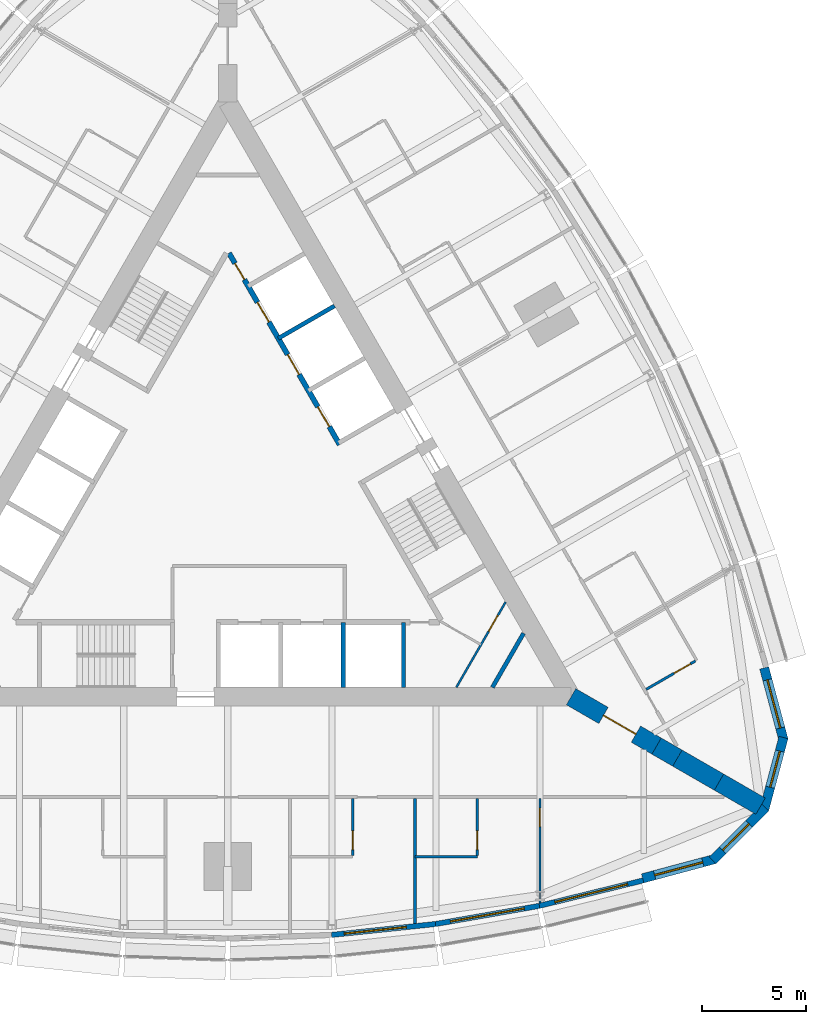
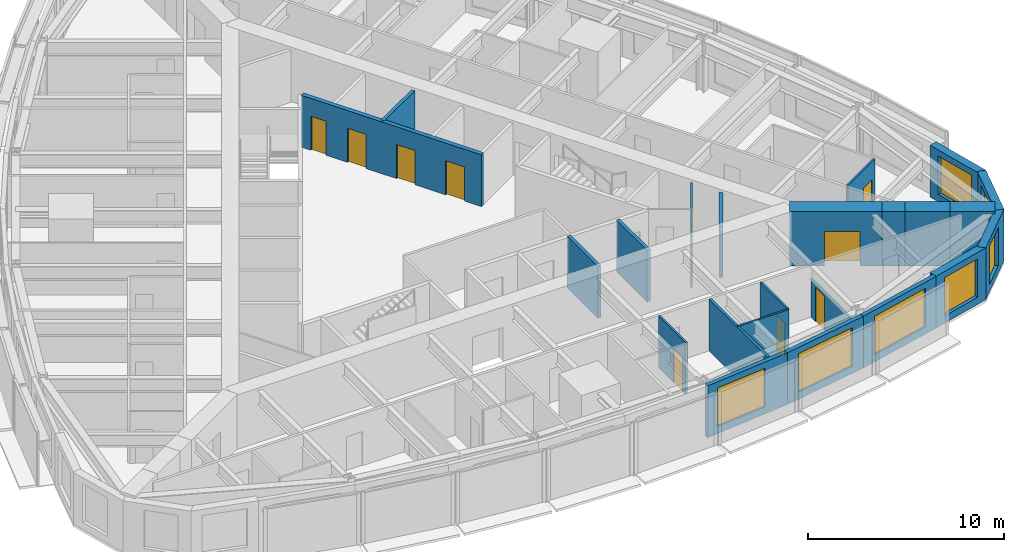
# One storey, part 10 of 14: 23 walls, 10 doors, 7 windows, 17 openings.
"""IFC4 building model written with IfcOpenShell, lengths in metres."""

from ifc_helpers import new_model, si_unit, direction, frame, frame_2d, origin, place, context, subcontext, project, spatial, polyline, rectangle, outline, extrude, material, layer, layer_set, type_object, element, fill, save


model = new_model("IFC4")

# Units and contexts
model_context = context("Model", 3, precision=1e-05, world=origin(), true_north=direction((0.0, 1.0)))
body_context = subcontext(model_context, "Body", "Model", "MODEL_VIEW")
ifc_project = project(units=[si_unit("LENGTHUNIT", "METRE"), si_unit("AREAUNIT", "SQUARE_METRE"), si_unit("VOLUMEUNIT", "CUBIC_METRE"), si_unit("PLANEANGLEUNIT", "RADIAN"), si_unit("MASSUNIT", "GRAM", prefix="KILO")], contexts=[model_context])

# Site, building, storey
site_placement = place(None, origin())
site = spatial("IfcSite", under=ifc_project, at=site_placement, CompositionType="ELEMENT")
building_placement = place(site_placement, origin())
building = spatial("IfcBuilding", under=site, at=building_placement, Name="Trikona Tower", CompositionType="ELEMENT")
storey_placement = place(building_placement, frame((0.0, 0.0, 172.5)))
storey = spatial("IfcBuildingStorey", under=building, at=storey_placement, Name="L46", CompositionType="ELEMENT", Elevation=172.5)

# Wall, opening, door
ifc_material_1 = material(Name="Metal stud and cement board", Category="gypsum")
ifc_layer_1 = layer(ifc_material_1, 0.1201171875)
ifc_layer_set_1 = layer_set([ifc_layer_1], Name="Bathroom wall 120")
wall_type_1 = type_object("IfcWallType", Name="Bathroom wall 120", PredefinedType="PLUMBINGWALL", material=ifc_layer_set_1)
wall_1_placement = place(storey_placement, frame((6.0, -14.42626953125, 0.0), z_axis=(0.0, 0.0, 1.0), x_axis=(0.0, -1.0, 0.0)))
wall_1 = element("IfcWall", 1, at=wall_1_placement, inside=storey, type_object=wall_type_1, Name="Bathroom wall 4603", PredefinedType="PLUMBINGWALL", context=body_context, shape_type="SweptSolid", body=[
    extrude(rectangle(XDim=2.739990234375, YDim=0.1201171875, at=frame_2d((1.3701171875, 0.0))), origin(), (0.0, 0.0, 1.0), 3.235107421875),
])
opening_1_placement = place(wall_1_placement, frame((1.550048828125, 0.0, 0.0)))
opening_1 = element("IfcOpeningElement", 2, at=opening_1_placement, cuts=wall_1, Name="Opening D2", PredefinedType="OPENING", context=body_context, shape_type="SweptSolid", body=[
    extrude(rectangle(XDim=0.89990234375, YDim=2.1298828125, at=frame_2d((0.449951171875, 1.06494140625))), frame((0.0, 0.070068359375, 0.0), z_axis=(0.0, -1.0, 0.0), x_axis=(1.0, 0.0, 0.0)), (0.0, 0.0, 1.0), 0.14013671875),
])
ifc_material_2 = material(Name="Steel door frame with solid-core timber leaf", Category="steel")
door_type_1 = type_object("IfcDoorType", Name="Bathroom door 900x2130", OperationType="SLIDING_TO_LEFT", PredefinedType="DOOR", material=ifc_material_2)
door_1_placement = place(opening_1_placement, origin())
door_1 = element("IfcDoor", 3, at=door_1_placement, inside=storey, type_object=door_type_1, Name="Bathroom door 4603", OperationType="SLIDING_TO_LEFT", OverallHeight=2.1298828125, OverallWidth=0.89990234375, PredefinedType="DOOR", context=body_context, shape_type="SweptSolid", body=[
    extrude(rectangle(XDim=0.89990234375, YDim=2.1298828125, at=frame_2d((0.449951171875, 1.06494140625))), frame((0.0, 0.02490234375, 0.0), z_axis=(0.0, -1.0, 0.0), x_axis=(1.0, 0.0, 0.0)), (0.0, 0.0, 1.0), 0.050048828125),
])
fill(opening_1, door_1)

# Wall
wall_2_placement = place(storey_placement, frame((9.0, -17.226318359375, 0.0), z_axis=(0.0, 0.0, 1.0), x_axis=(1.0, 0.0, 0.0)))
element("IfcWall", 4, at=wall_2_placement, inside=storey, type_object=wall_type_1, Name="Bathroom wall 4604.1", PredefinedType="PLUMBINGWALL", context=body_context, shape_type="SweptSolid", body=[
    extrude(rectangle(XDim=3.0, YDim=0.1201171875, at=frame_2d((1.5, 0.0))), origin(), (0.0, 0.0, 1.0), 3.235107421875),
])

# Wall, opening, door
wall_3_placement = place(storey_placement, frame((12.0, -14.42626953125, 0.0), z_axis=(0.0, 0.0, 1.0), x_axis=(0.0, -1.0, 0.0)))
wall_3 = element("IfcWall", 5, at=wall_3_placement, inside=storey, type_object=wall_type_1, Name="Bathroom wall 4604.1", PredefinedType="PLUMBINGWALL", context=body_context, shape_type="SweptSolid", body=[
    extrude(rectangle(XDim=2.739990234375, YDim=0.1201171875, at=frame_2d((1.3701171875, 0.0))), origin(), (0.0, 0.0, 1.0), 3.235107421875),
])
opening_2_placement = place(wall_3_placement, frame((1.550048828125, 0.0, 0.0)))
opening_2 = element("IfcOpeningElement", 6, at=opening_2_placement, cuts=wall_3, Name="Opening D2", PredefinedType="OPENING", context=body_context, shape_type="SweptSolid", body=[
    extrude(rectangle(XDim=0.89990234375, YDim=2.1298828125, at=frame_2d((0.449951171875, 1.06494140625))), frame((0.0, 0.070068359375, 0.0), z_axis=(0.0, -1.0, 0.0), x_axis=(1.0, 0.0, 0.0)), (0.0, 0.0, 1.0), 0.14013671875),
])
door_2_placement = place(opening_2_placement, origin())
door_2 = element("IfcDoor", 7, at=door_2_placement, inside=storey, type_object=door_type_1, Name="Bathroom door 4604.1", OperationType="SLIDING_TO_LEFT", OverallHeight=2.1298828125, OverallWidth=0.89990234375, PredefinedType="DOOR", context=body_context, shape_type="SweptSolid", body=[
    extrude(rectangle(XDim=0.89990234375, YDim=2.1298828125, at=frame_2d((0.449951171875, 1.06494140625))), frame((0.0, 0.02490234375, 0.0), z_axis=(0.0, -1.0, 0.0), x_axis=(1.0, 0.0, 0.0)), (0.0, 0.0, 1.0), 0.050048828125),
])
fill(opening_2, door_2)

wall_4_placement = place(storey_placement, frame((20.10791015625, -9.17529296875, 0.0), z_axis=(0.0, 0.0, 1.0), x_axis=(0.866035715982, 0.499982138324, 0.0)))
wall_4 = element("IfcWall", 8, at=wall_4_placement, inside=storey, type_object=wall_type_1, Name="Bathroom wall 4605", PredefinedType="PLUMBINGWALL", context=body_context, shape_type="SweptSolid", body=[
    extrude(rectangle(XDim=2.73974609375, YDim=0.1201171875, at=frame_2d((1.369873046875, 0.0))), origin(), (0.0, 0.0, 1.0), 3.235107421875),
])
opening_3_placement = place(wall_4_placement, frame((1.550048828125, 0.0, 0.0)))
opening_3 = element("IfcOpeningElement", 9, at=opening_3_placement, cuts=wall_4, Name="Opening D2", PredefinedType="OPENING", context=body_context, shape_type="SweptSolid", body=[
    extrude(rectangle(XDim=0.89990234375, YDim=2.1298828125, at=frame_2d((0.449951171875, 1.06494140625))), frame((0.0, 0.070068359375, 0.0), z_axis=(0.0, -1.0, 0.0), x_axis=(1.0, 0.0, 0.0)), (0.0, 0.0, 1.0), 0.14013671875),
])
door_3_placement = place(opening_3_placement, origin())
door_3 = element("IfcDoor", 10, at=door_3_placement, inside=storey, type_object=door_type_1, Name="Bathroom door 4605", OperationType="SLIDING_TO_LEFT", OverallHeight=2.1298828125, OverallWidth=0.89990234375, PredefinedType="DOOR", context=body_context, shape_type="SweptSolid", body=[
    extrude(rectangle(XDim=0.89990234375, YDim=2.1298828125, at=frame_2d((0.449951171875, 1.06494140625))), frame((0.0, 0.02490234375, 0.0), z_axis=(0.0, -1.0, 0.0), x_axis=(1.0, 0.0, 0.0)), (0.0, 0.0, 1.0), 0.050048828125),
])
fill(opening_3, door_3)

# Wall, opening, window
ifc_material_3 = material(Name="Brick-faced precast concrete", Category="masonry")
ifc_layer_2 = layer(ifc_material_3, 0.449951171875)
ifc_layer_set_2 = layer_set([ifc_layer_2], Name="Brick-faced corner wall 450")
wall_type_2 = type_object("IfcWallType", Name="Brick-faced corner wall 450", PredefinedType="SOLIDWALL", material=ifc_layer_set_2)
wall_5_placement = place(storey_placement, frame((19.94189453125, -18.2578125, 0.0), z_axis=(0.0, 0.0, 1.0), x_axis=(0.965924653531, 0.258823421857, 0.0)))
wall_5 = element("IfcWall", 11, at=wall_5_placement, inside=storey, type_object=wall_type_2, Name="External wall L46-08", PredefinedType="SOLIDWALL", context=body_context, shape_type="SweptSolid", body=[
    extrude(rectangle(XDim=3.58642578125, YDim=0.449951171875, at=frame_2d((1.793212890625, 0.0))), origin(), (0.0, 0.0, 1.0), 3.235107421875),
])
opening_4_placement = place(wall_5_placement, frame((0.593017578125, 0.0, 0.449951171875)))
opening_4 = element("IfcOpeningElement", 12, at=opening_4_placement, cuts=wall_5, Name="Opening W2424", PredefinedType="OPENING", context=body_context, shape_type="SweptSolid", body=[
    extrude(rectangle(XDim=2.39990234375, YDim=2.39990234375, at=frame_2d((1.199951171875, 1.199951171875))), frame((0.0, 0.23486328125, 0.0), z_axis=(0.0, -1.0, 0.0), x_axis=(1.0, 0.0, 0.0)), (0.0, 0.0, 1.0), 0.469970703125),
])
ifc_material_4 = material(Name="Aluminium-framed double glazing", Category="aluminium")
window_type_1 = type_object("IfcWindowType", Name="Window 2400x2400", PartitioningType="SINGLE_PANEL", PredefinedType="WINDOW", material=ifc_material_4)
window_1_placement = place(opening_4_placement, origin())
window_1 = element("IfcWindow", 13, at=window_1_placement, inside=storey, type_object=window_type_1, Name="Window 4604", OverallHeight=2.39990234375, OverallWidth=2.39990234375, PartitioningType="SINGLE_PANEL", PredefinedType="WINDOW", context=body_context, shape_type="SweptSolid", body=[
    extrude(rectangle(XDim=2.39990234375, YDim=2.39990234375, at=frame_2d((1.199951171875, 1.199951171875))), frame((0.0, 0.030029296875, 0.0), z_axis=(0.0, -1.0, 0.0), x_axis=(1.0, 0.0, 0.0)), (0.0, 0.0, 1.0), 0.06005859375),
])
fill(opening_4, window_1)

wall_6_placement = place(storey_placement, frame((23.304931640625, -17.387939453125, 0.0), z_axis=(0.0, 0.0, 1.0), x_axis=(0.707106781187, 0.707106781187, 0.0)))
wall_6 = element("IfcWall", 14, at=wall_6_placement, inside=storey, type_object=wall_type_2, Name="External wall L46-09", PredefinedType="SOLIDWALL", context=body_context, shape_type="SweptSolid", body=[
    extrude(outline(polyline([(3.586181640625, 0.22509765625), (3.527099609375, 0.22509765625), (3.03515625, 0.09326171875), (3.0, 0.22509765625), (0.0, 0.22509765625), (0.0, -0.22509765625), (3.586181640625, -0.22509765625), (3.586181640625, 0.22509765625)])), origin(), (0.0, 0.0, 1.0), 3.235107421875),
])
opening_5_placement = place(wall_6_placement, frame((0.6748046875, 0.0, 0.449951171875)))
opening_5 = element("IfcOpeningElement", 15, at=opening_5_placement, cuts=wall_6, Name="Opening W1824", PredefinedType="OPENING", context=body_context, shape_type="SweptSolid", body=[
    extrude(rectangle(XDim=1.800048828125, YDim=2.39990234375, at=frame_2d((0.89990234375, 1.199951171875))), frame((0.0, 0.23486328125, 0.0), z_axis=(0.0, -1.0, 0.0), x_axis=(1.0, 0.0, 0.0)), (0.0, 0.0, 1.0), 0.469970703125),
])
ifc_material_5 = material(Name="Aluminium-framed double glazing", Category="aluminium")
window_type_2 = type_object("IfcWindowType", Name="Window 1800x2400", PartitioningType="SINGLE_PANEL", PredefinedType="WINDOW", material=ifc_material_5)
window_2_placement = place(opening_5_placement, origin())
window_2 = element("IfcWindow", 16, at=window_2_placement, inside=storey, type_object=window_type_2, Name="Window 4604", OverallHeight=2.39990234375, OverallWidth=1.800048828125, PartitioningType="SINGLE_PANEL", PredefinedType="WINDOW", context=body_context, shape_type="SweptSolid", body=[
    extrude(rectangle(XDim=1.800048828125, YDim=2.39990234375, at=frame_2d((0.89990234375, 1.199951171875))), frame((0.0, 0.030029296875, 0.0), z_axis=(0.0, -1.0, 0.0), x_axis=(1.0, 0.0, 0.0)), (0.0, 0.0, 1.0), 0.06005859375),
])
fill(opening_5, window_2)

wall_7_placement = place(storey_placement, frame((25.78271484375, -14.952880859375, 0.0), z_axis=(0.0, 0.0, 1.0), x_axis=(0.258823421857, 0.965924653531, 0.0)))
wall_7 = element("IfcWall", 17, at=wall_7_placement, inside=storey, type_object=wall_type_2, Name="External wall L46-10", PredefinedType="SOLIDWALL", context=body_context, shape_type="SweptSolid", body=[
    extrude(outline(polyline([(3.58642578125, 0.22509765625), (0.58642578125, 0.22509765625), (0.551025390625, 0.09326171875), (0.0595703125, 0.22509765625), (0.0, 0.22509765625), (0.0, -0.22509765625), (3.58642578125, -0.22509765625), (3.58642578125, 0.22509765625)])), origin(), (0.0, 0.0, 1.0), 3.235107421875),
])
opening_6_placement = place(wall_7_placement, frame((1.111328125, 0.0, 0.449951171875)))
opening_6 = element("IfcOpeningElement", 18, at=opening_6_placement, cuts=wall_7, Name="Opening W1824", PredefinedType="OPENING", context=body_context, shape_type="SweptSolid", body=[
    extrude(rectangle(XDim=1.800048828125, YDim=2.39990234375, at=frame_2d((0.89990234375, 1.199951171875))), frame((0.0, 0.23486328125, 0.0), z_axis=(0.0, -1.0, 0.0), x_axis=(1.0, 0.0, 0.0)), (0.0, 0.0, 1.0), 0.469970703125),
])
window_3_placement = place(opening_6_placement, origin())
window_3 = element("IfcWindow", 19, at=window_3_placement, inside=storey, type_object=window_type_2, Name="Window 4605", OverallHeight=2.39990234375, OverallWidth=1.800048828125, PartitioningType="SINGLE_PANEL", PredefinedType="WINDOW", context=body_context, shape_type="SweptSolid", body=[
    extrude(rectangle(XDim=1.800048828125, YDim=2.39990234375, at=frame_2d((0.89990234375, 1.199951171875))), frame((0.0, 0.030029296875, 0.0), z_axis=(0.0, -1.0, 0.0), x_axis=(1.0, 0.0, 0.0)), (0.0, 0.0, 1.0), 0.06005859375),
])
fill(opening_6, window_3)

wall_8_placement = place(storey_placement, frame((26.7109375, -11.605224609375, 0.0), z_axis=(0.0, 0.0, 1.0), x_axis=(-0.258823421857, 0.965924653531, 0.0)))
wall_8 = element("IfcWall", 20, at=wall_8_placement, inside=storey, type_object=wall_type_2, Name="External wall L46-11", PredefinedType="SOLIDWALL", context=body_context, shape_type="SweptSolid", body=[
    extrude(rectangle(XDim=3.58642578125, YDim=0.449951171875, at=frame_2d((1.793212890625, 0.0))), origin(), (0.0, 0.0, 1.0), 3.235107421875),
])
opening_7_placement = place(wall_8_placement, frame((0.593017578125, 0.0, 0.449951171875)))
opening_7 = element("IfcOpeningElement", 21, at=opening_7_placement, cuts=wall_8, Name="Opening W2424", PredefinedType="OPENING", context=body_context, shape_type="SweptSolid", body=[
    extrude(rectangle(XDim=2.39990234375, YDim=2.39990234375, at=frame_2d((1.199951171875, 1.199951171875))), frame((0.0, 0.23486328125, 0.0), z_axis=(0.0, -1.0, 0.0), x_axis=(1.0, 0.0, 0.0)), (0.0, 0.0, 1.0), 0.469970703125),
])
window_4_placement = place(opening_7_placement, origin())
window_4 = element("IfcWindow", 22, at=window_4_placement, inside=storey, type_object=window_type_1, Name="Window 4605", OverallHeight=2.39990234375, OverallWidth=2.39990234375, PartitioningType="SINGLE_PANEL", PredefinedType="WINDOW", context=body_context, shape_type="SweptSolid", body=[
    extrude(rectangle(XDim=2.39990234375, YDim=2.39990234375, at=frame_2d((1.199951171875, 1.199951171875))), frame((0.0, 0.030029296875, 0.0), z_axis=(0.0, -1.0, 0.0), x_axis=(1.0, 0.0, 0.0)), (0.0, 0.0, 1.0), 0.06005859375),
])
fill(opening_7, window_4)

# Wall, opening, door
ifc_material_6 = material(Name="Concrete f'c 10000 psi", Category="concrete")
ifc_layer_3 = layer(ifc_material_6, 0.89990234375)
ifc_layer_set_3 = layer_set([ifc_layer_3], Name="Buttress wall 900")
wall_type_3 = type_object("IfcWallType", Name="Buttress wall 900", PredefinedType="SHEAR", material=ifc_layer_set_3)
wall_9_placement = place(storey_placement, frame((16.5, -9.5263671875, 0.0), z_axis=(0.0, 0.0, 1.0), x_axis=(0.866031398331, -0.499989616998, 0.0)))
wall_9 = element("IfcWall", 23, at=wall_9_placement, inside=storey, type_object=wall_type_3, Name="Buttress wall 1", PredefinedType="SHEAR", context=body_context, shape_type="SweptSolid", body=[
    extrude(rectangle(XDim=4.74609375, YDim=0.89990234375, at=frame_2d((2.373046875, 0.0))), origin(), (0.0, 0.0, 1.0), 3.39990234375),
])
opening_8_placement = place(wall_9_placement, frame((1.800048828125, 0.0, 0.0)))
opening_8 = element("IfcOpeningElement", 24, at=opening_8_placement, cuts=wall_9, Name="Opening D10", PredefinedType="OPENING", context=body_context, shape_type="SweptSolid", body=[
    extrude(rectangle(XDim=1.800048828125, YDim=2.1298828125, at=frame_2d((0.89990234375, 1.06494140625))), frame((0.0, 0.4599609375, 0.0), z_axis=(0.0, -1.0, 0.0), x_axis=(1.0, 0.0, 0.0)), (0.0, 0.0, 1.0), 0.919921875),
])
ifc_material_7 = material(Name="Hollow metal door and frame", Category="steel")
door_type_2 = type_object("IfcDoorType", Name="Cross-corridor door pair 1800x2130", OperationType="DOUBLE_DOOR_DOUBLE_SWING", PredefinedType="DOOR", material=ifc_material_7)
door_4_placement = place(opening_8_placement, origin())
door_4 = element("IfcDoor", 25, at=door_4_placement, inside=storey, type_object=door_type_2, Name="Cross-corridor door 1", OperationType="DOUBLE_DOOR_DOUBLE_SWING", OverallHeight=2.1298828125, OverallWidth=1.800048828125, PredefinedType="DOOR", context=body_context, shape_type="SweptSolid", body=[
    extrude(rectangle(XDim=1.800048828125, YDim=2.1298828125, at=frame_2d((0.89990234375, 1.06494140625))), frame((0.0, 0.02490234375, 0.0), z_axis=(0.0, -1.0, 0.0), x_axis=(1.0, 0.0, 0.0)), (0.0, 0.0, 1.0), 0.050048828125),
])
fill(opening_8, door_4)

# Walls
wall_10_placement = place(storey_placement, frame((20.6103515625, -11.8994140625, 0.0), z_axis=(0.0, 0.0, 1.0), x_axis=(0.866009537788, -0.500027479704, 0.0)))
element("IfcWall", 26, at=wall_10_placement, inside=storey, type_object=wall_type_3, Name="Buttress wall 1 part 2", PredefinedType="SHEAR", context=body_context, shape_type="SweptSolid", body=[
    extrude(rectangle(XDim=1.15478515625, YDim=0.89990234375, at=frame_2d((0.577392578125, 0.0))), origin(), (0.0, 0.0, 1.0), 3.39990234375),
])
for number, where, z_axis, x_axis, name in (
    (27, (21.6103515625, -12.476806640625, 0.0), (0.0, 0.0, 1.0), (0.866055313784, -0.499948190782, 0.0), "Buttress wall 1 part 3"),
    (28, (23.6103515625, -13.63134765625, 0.0), (0.0, 0.0, 1.0), (0.866009537788, -0.500027479704, 0.0), "Buttress wall 1 part 4"),
):
    element("IfcWall", number, at=place(storey_placement, frame(where, z_axis=z_axis, x_axis=x_axis)), inside=storey, type_object=wall_type_3, Name=name, PredefinedType="SHEAR", context=body_context, shape_type="SweptSolid", body=[
        extrude(rectangle(XDim=2.309326171875, YDim=0.89990234375, at=frame_2d((1.15478515625, 0.0))), origin(), (0.0, 0.0, 1.0), 3.39990234375),
    ])

# Wall, openings, doors
ifc_material_8 = material(Name="Concrete f'c 8000 psi", Category="concrete")
ifc_layer_4 = layer(ifc_material_8, 0.25)
ifc_layer_set_4 = layer_set([ifc_layer_4], Name="Hub wall 250")
wall_type_4 = type_object("IfcWallType", Name="Hub wall 250", PredefinedType="SOLIDWALL", material=ifc_layer_set_4)
wall_11_placement = place(storey_placement, frame((5.37890625, 2.5859375, 0.0), z_axis=(0.0, 0.0, 1.0), x_axis=(-0.500001375892, 0.866024609411, 0.0)))
wall_11 = element("IfcWall", 29, at=wall_11_placement, inside=storey, type_object=wall_type_4, Name="Lift lobby wall B2", PredefinedType="SOLIDWALL", context=body_context, shape_type="SweptSolid", body=[
    extrude(rectangle(XDim=10.6328125, YDim=0.25, at=frame_2d((5.31640625, 0.0))), origin(), (0.0, 0.0, 1.0), 3.235107421875),
])
opening_9_placement = place(wall_11_placement, frame((9.1640625, 0.0, 0.0)))
opening_9 = element("IfcOpeningElement", 30, at=opening_9_placement, cuts=wall_11, Name="Opening D14", PredefinedType="OPENING", context=body_context, shape_type="SweptSolid", body=[
    extrude(rectangle(XDim=0.89990234375, YDim=2.1298828125, at=frame_2d((0.449951171875, 1.06494140625))), frame((0.0, 0.135009765625, 0.0), z_axis=(0.0, -1.0, 0.0), x_axis=(1.0, 0.0, 0.0)), (0.0, 0.0, 1.0), 0.27001953125),
])
opening_10_placement = place(wall_11_placement, frame((1.0, 0.0, 0.0)))
opening_10 = element("IfcOpeningElement", 31, at=opening_10_placement, cuts=wall_11, Name="Opening LD", PredefinedType="OPENING", context=body_context, shape_type="SweptSolid", body=[
    extrude(rectangle(XDim=1.10009765625, YDim=2.1298828125, at=frame_2d((0.550048828125, 1.06494140625))), frame((0.0, 0.135009765625, 0.0), z_axis=(0.0, -1.0, 0.0), x_axis=(1.0, 0.0, 0.0)), (0.0, 0.0, 1.0), 0.27001953125),
])
opening_11_placement = place(wall_11_placement, frame((3.89990234375, 0.0, 0.0)))
opening_11 = element("IfcOpeningElement", 32, at=opening_11_placement, cuts=wall_11, Name="Opening LD", PredefinedType="OPENING", context=body_context, shape_type="SweptSolid", body=[
    extrude(rectangle(XDim=1.10009765625, YDim=2.1298828125, at=frame_2d((0.550048828125, 1.06494140625))), frame((0.0, 0.135009765625, 0.0), z_axis=(0.0, -1.0, 0.0), x_axis=(1.0, 0.0, 0.0)), (0.0, 0.0, 1.0), 0.27001953125),
])
opening_12_placement = place(wall_11_placement, frame((6.800048828125, 0.0, 0.0)))
opening_12 = element("IfcOpeningElement", 33, at=opening_12_placement, cuts=wall_11, Name="Opening LD", PredefinedType="OPENING", context=body_context, shape_type="SweptSolid", body=[
    extrude(rectangle(XDim=1.10009765625, YDim=2.1298828125, at=frame_2d((0.550048828125, 1.06494140625))), frame((0.0, 0.135009765625, 0.0), z_axis=(0.0, -1.0, 0.0), x_axis=(1.0, 0.0, 0.0)), (0.0, 0.0, 1.0), 0.27001953125),
])
ifc_material_9 = material(Name="Stainless steel lift landing door", Category="steel")
door_type_3 = type_object("IfcDoorType", Name="Lift landing door 1100x2130", OperationType="DOUBLE_DOOR_SLIDING", PredefinedType="USERDEFINED", material=ifc_material_9)
door_5_placement = place(opening_10_placement, origin())
door_5 = element("IfcDoor", 34, at=door_5_placement, inside=storey, type_object=door_type_3, Name="Lift landing door L2-1", ObjectType="LIFT LANDING DOOR", OperationType="DOUBLE_DOOR_SLIDING", OverallHeight=2.1298828125, OverallWidth=1.10009765625, PredefinedType="USERDEFINED", context=body_context, shape_type="SweptSolid", body=[
    extrude(rectangle(XDim=1.10009765625, YDim=2.1298828125, at=frame_2d((0.550048828125, 1.06494140625))), frame((0.0, 0.02490234375, 0.0), z_axis=(0.0, -1.0, 0.0), x_axis=(1.0, 0.0, 0.0)), (0.0, 0.0, 1.0), 0.050048828125),
])
fill(opening_10, door_5)
door_6_placement = place(opening_11_placement, origin())
door_6 = element("IfcDoor", 35, at=door_6_placement, inside=storey, type_object=door_type_3, Name="Lift landing door L2-2", ObjectType="LIFT LANDING DOOR", OperationType="DOUBLE_DOOR_SLIDING", OverallHeight=2.1298828125, OverallWidth=1.10009765625, PredefinedType="USERDEFINED", context=body_context, shape_type="SweptSolid", body=[
    extrude(rectangle(XDim=1.10009765625, YDim=2.1298828125, at=frame_2d((0.550048828125, 1.06494140625))), frame((0.0, 0.02490234375, 0.0), z_axis=(0.0, -1.0, 0.0), x_axis=(1.0, 0.0, 0.0)), (0.0, 0.0, 1.0), 0.050048828125),
])
fill(opening_11, door_6)
door_7_placement = place(opening_12_placement, origin())
door_7 = element("IfcDoor", 36, at=door_7_placement, inside=storey, type_object=door_type_3, Name="Lift landing door L2-3", ObjectType="LIFT LANDING DOOR", OperationType="DOUBLE_DOOR_SLIDING", OverallHeight=2.1298828125, OverallWidth=1.10009765625, PredefinedType="USERDEFINED", context=body_context, shape_type="SweptSolid", body=[
    extrude(rectangle(XDim=1.10009765625, YDim=2.1298828125, at=frame_2d((0.550048828125, 1.06494140625))), frame((0.0, 0.02490234375, 0.0), z_axis=(0.0, -1.0, 0.0), x_axis=(1.0, 0.0, 0.0)), (0.0, 0.0, 1.0), 0.050048828125),
])
fill(opening_12, door_7)
ifc_material_10 = material(Name="Hollow metal door and frame", Category="steel")
door_type_4 = type_object("IfcDoorType", Name="Service room door 900x2130", OperationType="SINGLE_SWING_LEFT", PredefinedType="DOOR", material=ifc_material_10)
door_8_placement = place(opening_9_placement, origin())
door_8 = element("IfcDoor", 37, at=door_8_placement, inside=storey, type_object=door_type_4, Name="Door Ice and vending ICE", OperationType="SINGLE_SWING_RIGHT", OverallHeight=2.1298828125, OverallWidth=0.89990234375, PredefinedType="DOOR", context=body_context, shape_type="SweptSolid", body=[
    extrude(rectangle(XDim=0.89990234375, YDim=2.1298828125, at=frame_2d((0.449951171875, 1.06494140625))), frame((0.0, 0.02490234375, 0.0), z_axis=(0.0, -1.0, 0.0), x_axis=(1.0, 0.0, 0.0)), (0.0, 0.0, 1.0), 0.050048828125),
])
fill(opening_9, door_8)

# Wall, opening, window
ifc_material_11 = material(Name="Insulated precast concrete spandrel panel", Category="concrete")
ifc_layer_5 = layer(ifc_material_11, 0.25)
ifc_layer_set_5 = layer_set([ifc_layer_5], Name="Inner skin wall 250")
wall_type_5 = type_object("IfcWallType", Name="Inner skin wall 250", PredefinedType="STANDARD", material=ifc_layer_set_5)
wall_12_placement = place(storey_placement, frame((4.98681640625, -20.975830078125, 0.0), z_axis=(0.0, 0.0, 1.0), x_axis=(0.994534683851, 0.104406717299, 0.0)))
wall_12 = element("IfcWall", 38, at=wall_12_placement, inside=storey, type_object=wall_type_5, Name="External wall L46-05", PredefinedType="STANDARD", context=body_context, shape_type="SweptSolid", body=[
    extrude(rectangle(XDim=5.027587890625, YDim=0.25, at=frame_2d((2.513671875, 0.0))), origin(), (0.0, 0.0, 1.0), 3.235107421875),
])
opening_13_placement = place(wall_12_placement, frame((0.609619140625, 0.0, 0.449951171875)))
opening_13 = element("IfcOpeningElement", 39, at=opening_13_placement, cuts=wall_12, Name="Opening W3024", PredefinedType="OPENING", context=body_context, shape_type="SweptSolid", body=[
    extrude(rectangle(XDim=3.0, YDim=2.39990234375, at=frame_2d((1.5, 1.199951171875))), frame((0.0, 0.135009765625, 0.0), z_axis=(0.0, -1.0, 0.0), x_axis=(1.0, 0.0, 0.0)), (0.0, 0.0, 1.0), 0.27001953125),
])
ifc_material_12 = material(Name="Aluminium-framed double glazing", Category="aluminium")
window_type_3 = type_object("IfcWindowType", Name="Window 3000x2400", PartitioningType="SINGLE_PANEL", PredefinedType="WINDOW", material=ifc_material_12)
window_5_placement = place(opening_13_placement, origin())
window_5 = element("IfcWindow", 40, at=window_5_placement, inside=storey, type_object=window_type_3, Name="Window 4603", OverallHeight=2.39990234375, OverallWidth=3.0, PartitioningType="SINGLE_PANEL", PredefinedType="WINDOW", context=body_context, shape_type="SweptSolid", body=[
    extrude(rectangle(XDim=3.0, YDim=2.39990234375, at=frame_2d((1.5, 1.199951171875))), frame((0.0, 0.030029296875, 0.0), z_axis=(0.0, -1.0, 0.0), x_axis=(1.0, 0.0, 0.0)), (0.0, 0.0, 1.0), 0.06005859375),
])
fill(opening_13, window_5)

wall_13_placement = place(storey_placement, frame((9.978515625, -20.4521484375, 0.0), z_axis=(0.0, 0.0, 1.0), x_axis=(0.985030467156, 0.172380331752, 0.0)))
wall_13 = element("IfcWall", 41, at=wall_13_placement, inside=storey, type_object=wall_type_5, Name="External wall L46-06", PredefinedType="STANDARD", context=body_context, shape_type="SweptSolid", body=[
    extrude(rectangle(XDim=5.075927734375, YDim=0.25, at=frame_2d((2.5380859375, 0.0))), origin(), (0.0, 0.0, 1.0), 3.235107421875),
])
opening_14_placement = place(wall_13_placement, frame((0.738037109375, 0.0, 0.449951171875)))
opening_14 = element("IfcOpeningElement", 42, at=opening_14_placement, cuts=wall_13, Name="Opening W3624", PredefinedType="OPENING", context=body_context, shape_type="SweptSolid", body=[
    extrude(rectangle(XDim=3.60009765625, YDim=2.39990234375, at=frame_2d((1.800048828125, 1.199951171875))), frame((0.0, 0.135009765625, 0.0), z_axis=(0.0, -1.0, 0.0), x_axis=(1.0, 0.0, 0.0)), (0.0, 0.0, 1.0), 0.27001953125),
])
ifc_material_13 = material(Name="Aluminium-framed double glazing", Category="aluminium")
window_type_4 = type_object("IfcWindowType", Name="Window 3600x2400", PartitioningType="SINGLE_PANEL", PredefinedType="WINDOW", material=ifc_material_13)
window_6_placement = place(opening_14_placement, origin())
window_6 = element("IfcWindow", 43, at=window_6_placement, inside=storey, type_object=window_type_4, Name="Window 4604.1", OverallHeight=2.39990234375, OverallWidth=3.60009765625, PartitioningType="SINGLE_PANEL", PredefinedType="WINDOW", context=body_context, shape_type="SweptSolid", body=[
    extrude(rectangle(XDim=3.60009765625, YDim=2.39990234375, at=frame_2d((1.800048828125, 1.199951171875))), frame((0.0, 0.030029296875, 0.0), z_axis=(0.0, -1.0, 0.0), x_axis=(1.0, 0.0, 0.0)), (0.0, 0.0, 1.0), 0.06005859375),
])
fill(opening_14, window_6)

wall_14_placement = place(storey_placement, frame((14.97021484375, -19.578857421875, 0.0), z_axis=(0.0, 0.0, 1.0), x_axis=(0.971270024053, 0.237980126011, 0.0)))
wall_14 = element("IfcWall", 44, at=wall_14_placement, inside=storey, type_object=wall_type_5, Name="External wall L46-07", PredefinedType="STANDARD", context=body_context, shape_type="SweptSolid", body=[
    extrude(rectangle(XDim=5.14794921875, YDim=0.25, at=frame_2d((2.573974609375, 0.0))), origin(), (0.0, 0.0, 1.0), 3.235107421875),
])
opening_15_placement = place(wall_14_placement, frame((0.77392578125, 0.0, 0.449951171875)))
opening_15 = element("IfcOpeningElement", 45, at=opening_15_placement, cuts=wall_14, Name="Opening W3624", PredefinedType="OPENING", context=body_context, shape_type="SweptSolid", body=[
    extrude(rectangle(XDim=3.60009765625, YDim=2.39990234375, at=frame_2d((1.800048828125, 1.199951171875))), frame((0.0, 0.135009765625, 0.0), z_axis=(0.0, -1.0, 0.0), x_axis=(1.0, 0.0, 0.0)), (0.0, 0.0, 1.0), 0.27001953125),
])
window_7_placement = place(opening_15_placement, origin())
window_7 = element("IfcWindow", 46, at=window_7_placement, inside=storey, type_object=window_type_4, Name="Window 4604", OverallHeight=2.39990234375, OverallWidth=3.60009765625, PartitioningType="SINGLE_PANEL", PredefinedType="WINDOW", context=body_context, shape_type="SweptSolid", body=[
    extrude(rectangle(XDim=3.60009765625, YDim=2.39990234375, at=frame_2d((1.800048828125, 1.199951171875))), frame((0.0, 0.030029296875, 0.0), z_axis=(0.0, -1.0, 0.0), x_axis=(1.0, 0.0, 0.0)), (0.0, 0.0, 1.0), 0.06005859375),
])
fill(opening_15, window_7)

# Walls
ifc_material_14 = material(Name="Metal stud and gypsum board, 1-hour acoustic", Category="gypsum")
ifc_layer_6 = layer(ifc_material_14, 0.14990234375)
ifc_layer_set_6 = layer_set([ifc_layer_6], Name="Party wall 150")
wall_type_6 = type_object("IfcWallType", Name="Party wall 150", PredefinedType="PARTITIONING", material=ifc_layer_set_6)
wall_15_placement = place(storey_placement, frame((9.0, -14.42626953125, 0.0), z_axis=(0.0, 0.0, 1.0), x_axis=(0.0, -1.0, 0.0)))
element("IfcWall", 47, at=wall_15_placement, inside=storey, type_object=wall_type_6, Name="Partition L46 F1 u9", PredefinedType="PARTITIONING", context=body_context, shape_type="SweptSolid", body=[
    extrude(rectangle(XDim=6.00244140625, YDim=0.14990234375, at=frame_2d((3.001220703125, 0.0))), origin(), (0.0, 0.0, 1.0), 3.235107421875),
])
ifc_material_15 = material(Name="Concrete f'c 8000 psi", Category="concrete")
ifc_layer_7 = layer(ifc_material_15, 0.199951171875)
ifc_layer_set_7 = layer_set([ifc_layer_7], Name="Shaft wall 200")
wall_type_7 = type_object("IfcWallType", Name="Shaft wall 200", PredefinedType="SOLIDWALL", material=ifc_layer_set_7)
for number, where, z_axis, x_axis, name in (
    (48, (5.550048828125, -5.951416015625, 0.0), (0.0, 0.0, 1.0), (0.0, -1.0, 0.0), "Shaft wall A5"),
    (49, (8.449951171875, -5.951416015625, 0.0), (0.0, 0.0, 1.0), (0.0, -1.0, 0.0), "Shaft wall A6"),
    (50, (2.428955078125, 7.695556640625, 0.0), (0.0, 0.0, 1.0), (0.866022959057, 0.500004234368, 0.0), "Shaft wall B5"),
):
    element("IfcWall", number, at=place(storey_placement, frame(where, z_axis=z_axis, x_axis=x_axis)), inside=storey, type_object=wall_type_7, Name=name, PredefinedType="SOLIDWALL", context=body_context, shape_type="SweptSolid", body=[
        extrude(rectangle(XDim=3.125, YDim=0.199951171875, at=frame_2d((1.5625, 0.0))), origin(), (0.0, 0.0, 1.0), 3.235107421875),
    ])
wall_16_placement = place(storey_placement, frame((14.219482421875, -6.476318359375, 0.0), z_axis=(0.0, 0.0, 1.0), x_axis=(-0.499952404951, -0.866052881055, 0.0)))
element("IfcWall", 51, at=wall_16_placement, inside=storey, type_object=wall_type_7, Name="Riser wall L46-RS1", PredefinedType="SOLIDWALL", context=body_context, shape_type="SweptSolid", body=[
    extrude(rectangle(XDim=3.002197265625, YDim=0.199951171875, at=frame_2d((1.5009765625, 0.0))), origin(), (0.0, 0.0, 1.0), 3.235107421875),
])

# Wall, opening, door
ifc_material_16 = material(Name="Metal stud and gypsum board, acoustic", Category="gypsum")
ifc_layer_8 = layer(ifc_material_16, 0.10009765625)
ifc_layer_set_8 = layer_set([ifc_layer_8], Name="Suite partition 100")
wall_type_8 = type_object("IfcWallType", Name="Suite partition 100", PredefinedType="PARTITIONING", material=ifc_layer_set_8)
wall_17_placement = place(storey_placement, frame((15.0, -14.42626953125, 0.0), z_axis=(0.0, 0.0, 1.0), x_axis=(0.0, -1.0, 0.0)))
wall_17 = element("IfcWall", 52, at=wall_17_placement, inside=storey, type_object=wall_type_8, Name="Suite partition L46 F1 u15", PredefinedType="PARTITIONING", context=body_context, shape_type="SweptSolid", body=[
    extrude(rectangle(XDim=5.0166015625, YDim=0.10009765625, at=frame_2d((2.50830078125, 0.0))), origin(), (0.0, 0.0, 1.0), 2.38916015625),
])
opening_16_placement = place(wall_17_placement, frame((0.449951171875, 0.0, 0.0)))
opening_16 = element("IfcOpeningElement", 53, at=opening_16_placement, cuts=wall_17, Name="Opening D13", PredefinedType="OPENING", context=body_context, shape_type="SweptSolid", body=[
    extrude(rectangle(XDim=0.89990234375, YDim=2.1298828125, at=frame_2d((0.449951171875, 1.06494140625))), frame((0.0, 0.06005859375, 0.0), z_axis=(0.0, -1.0, 0.0), x_axis=(1.0, 0.0, 0.0)), (0.0, 0.0, 1.0), 0.1201171875),
])
ifc_material_17 = material(Name="Steel door frame with solid-core timber leaf", Category="steel")
door_type_5 = type_object("IfcDoorType", Name="Suite door 900x2130", OperationType="SINGLE_SWING_LEFT", PredefinedType="DOOR", material=ifc_material_17)
door_9_placement = place(opening_16_placement, origin())
door_9 = element("IfcDoor", 54, at=door_9_placement, inside=storey, type_object=door_type_5, Name="Suite door 4604", OperationType="SINGLE_SWING_LEFT", OverallHeight=2.1298828125, OverallWidth=0.89990234375, PredefinedType="DOOR", context=body_context, shape_type="SweptSolid", body=[
    extrude(rectangle(XDim=0.89990234375, YDim=2.1298828125, at=frame_2d((0.449951171875, 1.06494140625))), frame((0.0, 0.02490234375, 0.0), z_axis=(0.0, -1.0, 0.0), x_axis=(1.0, 0.0, 0.0)), (0.0, 0.0, 1.0), 0.050048828125),
])
fill(opening_16, door_9)

wall_18_placement = place(storey_placement, frame((13.353515625, -4.976318359375, 0.0), z_axis=(0.0, 0.0, 1.0), x_axis=(-0.499999210213, -0.866025859768, 0.0)))
wall_18 = element("IfcWall", 55, at=wall_18_placement, inside=storey, type_object=wall_type_8, Name="Store partition L46-RS1", PredefinedType="PARTITIONING", context=body_context, shape_type="SweptSolid", body=[
    extrude(rectangle(XDim=4.734375, YDim=0.10009765625, at=frame_2d((2.3671875, 0.0))), origin(), (0.0, 0.0, 1.0), 3.235107421875),
])
opening_17_placement = place(wall_18_placement, frame((0.733642578125, 0.0, 0.0)))
opening_17 = element("IfcOpeningElement", 56, at=opening_17_placement, cuts=wall_18, Name="Opening D15", PredefinedType="OPENING", context=body_context, shape_type="SweptSolid", body=[
    extrude(rectangle(XDim=0.89990234375, YDim=2.1298828125, at=frame_2d((0.449951171875, 1.06494140625))), frame((0.0, 0.06005859375, 0.0), z_axis=(0.0, -1.0, 0.0), x_axis=(1.0, 0.0, 0.0)), (0.0, 0.0, 1.0), 0.1201171875),
])
ifc_material_18 = material(Name="Steel door frame with solid-core timber leaf", Category="steel")
door_type_6 = type_object("IfcDoorType", Name="Store door 900x2130", OperationType="SINGLE_SWING_LEFT", PredefinedType="DOOR", material=ifc_material_18)
door_10_placement = place(opening_17_placement, origin())
door_10 = element("IfcDoor", 57, at=door_10_placement, inside=storey, type_object=door_type_6, Name="Door Cleaner's store CLN", OperationType="SINGLE_SWING_LEFT", OverallHeight=2.1298828125, OverallWidth=0.89990234375, PredefinedType="DOOR", context=body_context, shape_type="SweptSolid", body=[
    extrude(rectangle(XDim=0.89990234375, YDim=2.1298828125, at=frame_2d((0.449951171875, 1.06494140625))), frame((0.0, 0.02490234375, 0.0), z_axis=(0.0, -1.0, 0.0), x_axis=(1.0, 0.0, 0.0)), (0.0, 0.0, 1.0), 0.050048828125),
])
fill(opening_17, door_10)

save(model, "model.ifc")
